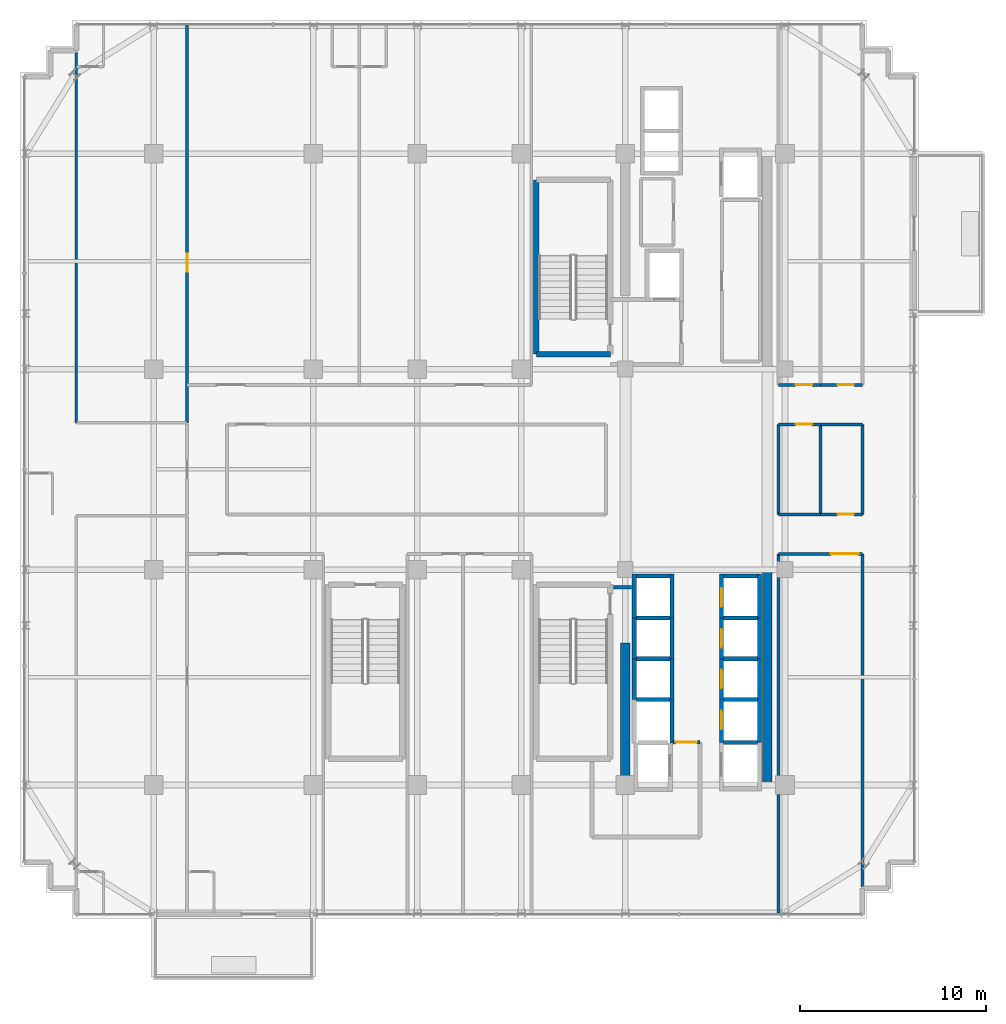
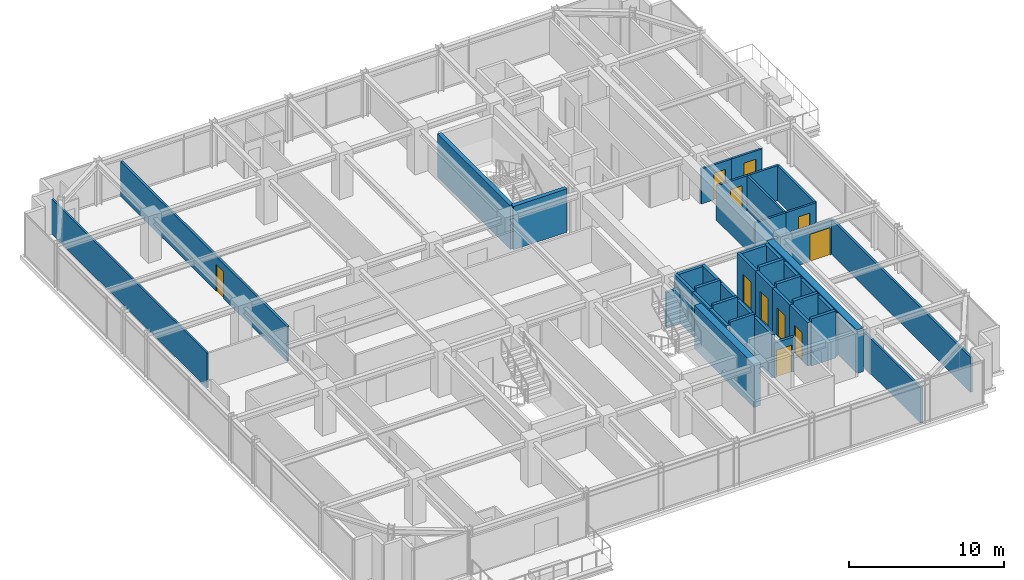
# One storey, part 29 of 34: 44 walls, 11 doors, 11 openings.
"""IFC4 building model written with IfcOpenShell, lengths in metres."""

from ifc_helpers import new_model, si_unit, direction, frame, frame_2d, origin, place, context, subcontext, project, spatial, rectangle, extrude, source, transform, mapped, material, layer, layer_set, type_object, element, fill, save


model = new_model("IFC4")

# Units and contexts
model_context = context("Model", 3, precision=1e-05, world=origin(), true_north=direction((0.0, 1.0)))
body_context = subcontext(model_context, "Body", "Model", "MODEL_VIEW")
ifc_project = project(units=[si_unit("LENGTHUNIT", "METRE"), si_unit("AREAUNIT", "SQUARE_METRE"), si_unit("VOLUMEUNIT", "CUBIC_METRE"), si_unit("PLANEANGLEUNIT", "RADIAN"), si_unit("MASSUNIT", "GRAM", prefix="KILO")], contexts=[model_context])

# Site, building, storey
site_placement = place(None, origin())
site = spatial("IfcSite", under=ifc_project, at=site_placement, CompositionType="ELEMENT")
building_placement = place(site_placement, origin())
building = spatial("IfcBuilding", under=site, at=building_placement, Name="Nahalor Promenade Grand Hotel", CompositionType="ELEMENT")
storey_placement = place(building_placement, frame((0.0, 0.0, 238.199951171875)))
storey = spatial("IfcBuildingStorey", under=building, at=storey_placement, Name="L61", CompositionType="ELEMENT", Elevation=238.199951171875)

# Walls
ifc_material_1 = material(Name="Concrete B-60 (C50/60)", Category="concrete")
ifc_layer_1 = layer(ifc_material_1, 0.5)
ifc_layer_set_1 = layer_set([ifc_layer_1], Name="Concrete B-60 (C50/60)")
wall_type_1 = type_object("IfcWallType", Name="Wall-CoreShear-500", PredefinedType="SHEAR", material=ifc_layer_set_1)
shared_shape_1 = source(origin(), body_context, "Body", "SweptSolid", [
    extrude(rectangle(XDim=7.64990234375, YDim=0.5, at=frame_2d((3.824951171875, 0.0))), origin(), (0.0, 0.0, 1.0), 3.41015625),
])
wall_1_placement = place(storey_placement, frame((8.39990234375, -17.0, 0.0), z_axis=(0.0, 0.0, 1.0), x_axis=(0.0, 1.0, 0.0)))
element("IfcWall", 1, at=wall_1_placement, inside=storey, type_object=wall_type_1, Name="CWALL-L61-SW", PredefinedType="SHEAR", context=body_context, shape_type="MappedRepresentation", body=[
    mapped(shared_shape_1, transform((0.0, 0.0, 0.0), scale=1.0)),
])
shared_shape_2 = source(origin(), body_context, "Body", "SweptSolid", [
    extrude(rectangle(XDim=11.60009765625, YDim=0.5, at=frame_2d((5.800048828125, 0.0))), origin(), (0.0, 0.0, 1.0), 3.41015625),
])
wall_2_placement = place(storey_placement, frame((16.050048828125, -17.0, 0.0), z_axis=(0.0, 0.0, 1.0), x_axis=(0.0, 1.0, 0.0)))
element("IfcWall", 2, at=wall_2_placement, inside=storey, type_object=wall_type_1, Name="CWALL-L61-SE", PredefinedType="SHEAR", context=body_context, shape_type="MappedRepresentation", body=[
    mapped(shared_shape_2, transform((0.0, 0.0, 0.0), scale=1.0)),
])
ifc_material_2 = material(Name="Concrete B-50 (C40/50)", Category="concrete")
ifc_layer_2 = layer(ifc_material_2, 0.300048828125)
ifc_layer_set_2 = layer_set([ifc_layer_2], Name="Concrete B-50 (C40/50)")
wall_type_2 = type_object("IfcWallType", Name="Wall-ShaftShear-300", PredefinedType="SHEAR", material=ifc_layer_set_2)
shared_shape_3 = source(origin(), body_context, "Body", "SweptSolid", [
    extrude(rectangle(XDim=3.97998046875, YDim=0.300048828125, at=frame_2d((1.989990234375, 0.0))), origin(), (0.0, 0.0, 1.0), 3.41015625),
])
wall_3_placement = place(storey_placement, frame((3.610107421875, 6.2099609375, 0.0), z_axis=(0.0, 0.0, 1.0), x_axis=(1.0, 0.0, 0.0)))
element("IfcWall", 3, at=wall_3_placement, inside=storey, type_object=wall_type_2, Name="L61 Exit Stair ST1 Shaft Wall S", PredefinedType="SHEAR", context=body_context, shape_type="MappedRepresentation", body=[
    mapped(shared_shape_3, transform((0.0, 0.0, 0.0), scale=1.0)),
])
shared_shape_4 = source(origin(), body_context, "Body", "SweptSolid", [
    extrude(rectangle(XDim=9.380126953125, YDim=0.300048828125, at=frame_2d((4.68994140625, 0.0))), origin(), (0.0, 0.0, 1.0), 3.41015625),
])
wall_4_placement = place(storey_placement, frame((3.610107421875, 6.2099609375, 0.0), z_axis=(0.0, 0.0, 1.0), x_axis=(0.0, 1.0, 0.0)))
element("IfcWall", 4, at=wall_4_placement, inside=storey, type_object=wall_type_2, Name="L61 Exit Stair ST1 Shaft Wall W", PredefinedType="SHEAR", context=body_context, shape_type="MappedRepresentation", body=[
    mapped(shared_shape_4, transform((0.0, 0.0, 0.0), scale=1.0)),
])

# Wall, opening, door
ifc_layer_3 = layer(ifc_material_2, 0.219970703125)
ifc_layer_set_3 = layer_set([ifc_layer_3], Name="Concrete B-50 (C40/50)")
wall_type_3 = type_object("IfcWallType", Name="Wall-LiftShaft-220", PredefinedType="SHEAR", material=ifc_layer_set_3)
shared_shape_5 = source(origin(), body_context, "Body", "SweptSolid", [
    extrude(rectangle(XDim=2.360107421875, YDim=0.219970703125, at=frame_2d((1.18017578125, 0.0))), origin(), (0.0, 0.0, 1.0), 3.41015625),
])
wall_5_placement = place(storey_placement, frame((13.580078125, -8.0, 0.0), z_axis=(0.0, 0.0, 1.0), x_axis=(0.0, 1.0, 0.0)))
wall_5 = element("IfcWall", 5, at=wall_5_placement, inside=storey, type_object=wall_type_3, Name="L61 Lift PL5 Hoistway Wall W", PredefinedType="SHEAR", context=body_context, shape_type="MappedRepresentation", body=[
    mapped(shared_shape_5, transform((0.0, 0.0, 0.0), scale=1.0)),
])
opening_1_placement = place(wall_5_placement, frame((0.60009765625, 0.0, 0.0)))
opening_1 = element("IfcOpeningElement", 6, at=opening_1_placement, cuts=wall_5, Name="Opening LD-01", PredefinedType="OPENING", context=body_context, shape_type="SweptSolid", body=[
    extrude(rectangle(XDim=1.0, YDim=2.199951171875, at=frame_2d((0.5, 1.10009765625))), frame((0.0, 0.119873046875, 0.0), z_axis=(0.0, -1.0, 0.0), x_axis=(1.0, 0.0, 0.0)), (0.0, 0.0, 1.0), 0.239990234375),
])
ifc_material_3 = material(Name="Steel S355JR", Category="steel")
door_type_1 = type_object("IfcDoorType", Name="Door-LiftLanding-1000", OperationType="DOUBLE_DOOR_SLIDING", PredefinedType="DOOR", material=ifc_material_3)
shared_shape_6 = source(origin(), body_context, "Body", "SweptSolid", [
    extrude(rectangle(XDim=1.0, YDim=2.199951171875, at=frame_2d((0.5, 1.10009765625))), frame((0.0, 0.02490234375, 0.0), z_axis=(0.0, -1.0, 0.0), x_axis=(1.0, 0.0, 0.0)), (0.0, 0.0, 1.0), 0.050048828125),
])
door_1_placement = place(opening_1_placement, origin())
door_1 = element("IfcDoor", 7, at=door_1_placement, inside=storey, type_object=door_type_1, Name="DR-LIFT-PL5-L61", OperationType="DOUBLE_DOOR_SLIDING", OverallHeight=2.199951171875, OverallWidth=1.0, PredefinedType="DOOR", context=body_context, shape_type="MappedRepresentation", body=[
    mapped(shared_shape_6, transform((0.0, 0.0, 0.0), scale=1.0)),
])
fill(opening_1, door_1)

# Walls
for number, where, z_axis, x_axis, name in (
    (8, (15.6201171875, -8.0, 0.0), (0.0, 0.0, 1.0), (0.0, 1.0, 0.0), "L61 Lift PL5 Hoistway Wall E"),
    (9, (8.8798828125, -8.0, 0.0), (0.0, 0.0, 1.0), (0.0, 1.0, 0.0), "L61 Lift PL9 Hoistway Wall W"),
    (10, (10.919921875, -8.0, 0.0), (0.0, 0.0, 1.0), (0.0, 1.0, 0.0), "L61 Lift PL9 Hoistway Wall E"),
):
    element("IfcWall", number, at=place(storey_placement, frame(where, z_axis=z_axis, x_axis=x_axis)), inside=storey, type_object=wall_type_3, Name=name, PredefinedType="SHEAR", context=body_context, shape_type="MappedRepresentation", body=[
        mapped(shared_shape_5, transform((0.0, 0.0, 0.0), scale=1.0)),
    ])
shared_shape_7 = source(origin(), body_context, "Body", "SweptSolid", [
    extrude(rectangle(XDim=1.820068359375, YDim=0.219970703125, at=frame_2d((0.91015625, 0.0))), origin(), (0.0, 0.0, 1.0), 3.41015625),
])
for number, where, z_axis, x_axis, name in (
    (11, (13.68994140625, -5.75, 0.0), (0.0, 0.0, 1.0), (1.0, 0.0, 0.0), "L61 Lift PL5 Hoistway Wall N"),
    (12, (8.989990234375, -5.75, 0.0), (0.0, 0.0, 1.0), (1.0, 0.0, 0.0), "L61 Lift PL9 Hoistway Wall N"),
):
    element("IfcWall", number, at=place(storey_placement, frame(where, z_axis=z_axis, x_axis=x_axis)), inside=storey, type_object=wall_type_3, Name=name, PredefinedType="SHEAR", context=body_context, shape_type="MappedRepresentation", body=[
        mapped(shared_shape_7, transform((0.0, 0.0, 0.0), scale=1.0)),
    ])

# Wall, opening, door
shared_shape_8 = source(origin(), body_context, "Body", "SweptSolid", [
    extrude(rectangle(XDim=2.199951171875, YDim=0.219970703125, at=frame_2d((1.10009765625, 0.0))), origin(), (0.0, 0.0, 1.0), 3.41015625),
])
wall_6_placement = place(storey_placement, frame((13.580078125, -10.199951171875, 0.0), z_axis=(0.0, 0.0, 1.0), x_axis=(0.0, 1.0, 0.0)))
wall_6 = element("IfcWall", 13, at=wall_6_placement, inside=storey, type_object=wall_type_3, Name="L61 Lift PL6 Hoistway Wall W", PredefinedType="SHEAR", context=body_context, shape_type="MappedRepresentation", body=[
    mapped(shared_shape_8, transform((0.0, 0.0, 0.0), scale=1.0)),
])
opening_2_placement = place(wall_6_placement, frame((0.60009765625, 0.0, 0.0)))
opening_2 = element("IfcOpeningElement", 14, at=opening_2_placement, cuts=wall_6, Name="Opening LD-01", PredefinedType="OPENING", context=body_context, shape_type="SweptSolid", body=[
    extrude(rectangle(XDim=1.0, YDim=2.199951171875, at=frame_2d((0.5, 1.10009765625))), frame((0.0, 0.119873046875, 0.0), z_axis=(0.0, -1.0, 0.0), x_axis=(1.0, 0.0, 0.0)), (0.0, 0.0, 1.0), 0.239990234375),
])
door_2_placement = place(opening_2_placement, origin())
door_2 = element("IfcDoor", 15, at=door_2_placement, inside=storey, type_object=door_type_1, Name="DR-LIFT-PL6-L61", OperationType="DOUBLE_DOOR_SLIDING", OverallHeight=2.199951171875, OverallWidth=1.0, PredefinedType="DOOR", context=body_context, shape_type="MappedRepresentation", body=[
    mapped(shared_shape_6, transform((0.0, 0.0, 0.0), scale=1.0)),
])
fill(opening_2, door_2)

# Wall
wall_7_placement = place(storey_placement, frame((15.6201171875, -10.199951171875, 0.0), z_axis=(0.0, 0.0, 1.0), x_axis=(0.0, 1.0, 0.0)))
element("IfcWall", 16, at=wall_7_placement, inside=storey, type_object=wall_type_3, Name="L61 Lift PL6 Hoistway Wall E", PredefinedType="SHEAR", context=body_context, shape_type="MappedRepresentation", body=[
    mapped(shared_shape_8, transform((0.0, 0.0, 0.0), scale=1.0)),
])

# Wall, opening, door
wall_8_placement = place(storey_placement, frame((13.580078125, -12.39990234375, 0.0), z_axis=(0.0, 0.0, 1.0), x_axis=(0.0, 1.0, 0.0)))
wall_8 = element("IfcWall", 17, at=wall_8_placement, inside=storey, type_object=wall_type_3, Name="L61 Lift PL7 Hoistway Wall W", PredefinedType="SHEAR", context=body_context, shape_type="MappedRepresentation", body=[
    mapped(shared_shape_8, transform((0.0, 0.0, 0.0), scale=1.0)),
])
opening_3_placement = place(wall_8_placement, frame((0.60009765625, 0.0, 0.0)))
opening_3 = element("IfcOpeningElement", 18, at=opening_3_placement, cuts=wall_8, Name="Opening LD-01", PredefinedType="OPENING", context=body_context, shape_type="SweptSolid", body=[
    extrude(rectangle(XDim=1.0, YDim=2.199951171875, at=frame_2d((0.5, 1.10009765625))), frame((0.0, 0.119873046875, 0.0), z_axis=(0.0, -1.0, 0.0), x_axis=(1.0, 0.0, 0.0)), (0.0, 0.0, 1.0), 0.239990234375),
])
door_3_placement = place(opening_3_placement, origin())
door_3 = element("IfcDoor", 19, at=door_3_placement, inside=storey, type_object=door_type_1, Name="DR-LIFT-PL7-L61", OperationType="DOUBLE_DOOR_SLIDING", OverallHeight=2.199951171875, OverallWidth=1.0, PredefinedType="DOOR", context=body_context, shape_type="MappedRepresentation", body=[
    mapped(shared_shape_6, transform((0.0, 0.0, 0.0), scale=1.0)),
])
fill(opening_3, door_3)

# Walls
for number, where, z_axis, x_axis, name in (
    (20, (15.6201171875, -12.39990234375, 0.0), (0.0, 0.0, 1.0), (0.0, 1.0, 0.0), "L61 Lift PL7 Hoistway Wall E"),
    (21, (8.8798828125, -10.199951171875, 0.0), (0.0, 0.0, 1.0), (0.0, 1.0, 0.0), "L61 Lift PL10 Hoistway Wall W"),
    (22, (10.919921875, -10.199951171875, 0.0), (0.0, 0.0, 1.0), (0.0, 1.0, 0.0), "L61 Lift PL10 Hoistway Wall E"),
    (23, (8.8798828125, -12.39990234375, 0.0), (0.0, 0.0, 1.0), (0.0, 1.0, 0.0), "L61 Lift PL11 Hoistway Wall W"),
    (24, (10.919921875, -12.39990234375, 0.0), (0.0, 0.0, 1.0), (0.0, 1.0, 0.0), "L61 Lift PL11 Hoistway Wall E"),
):
    element("IfcWall", number, at=place(storey_placement, frame(where, z_axis=z_axis, x_axis=x_axis)), inside=storey, type_object=wall_type_3, Name=name, PredefinedType="SHEAR", context=body_context, shape_type="MappedRepresentation", body=[
        mapped(shared_shape_8, transform((0.0, 0.0, 0.0), scale=1.0)),
    ])
shared_shape_9 = source(origin(), body_context, "Body", "SweptSolid", [
    extrude(rectangle(XDim=1.820068359375, YDim=0.219970703125, at=frame_2d((0.91015625, 0.0))), origin(), (0.0, 0.0, 1.0), 3.699951171875),
])
for number, where, z_axis, x_axis, name in (
    (25, (13.68994140625, -8.0, 0.0), (0.0, 0.0, 1.0), (1.0, 0.0, 0.0), "L61 Lift PL6 Hoistway Wall N"),
    (26, (13.68994140625, -10.199951171875, 0.0), (0.0, 0.0, 1.0), (1.0, 0.0, 0.0), "L61 Lift PL7 Hoistway Wall N"),
    (27, (13.68994140625, -12.39990234375, 0.0), (0.0, 0.0, 1.0), (1.0, 0.0, 0.0), "L61 Lift PL8 Hoistway Wall N"),
    (28, (8.989990234375, -8.0, 0.0), (0.0, 0.0, 1.0), (1.0, 0.0, 0.0), "L61 Lift PL10 Hoistway Wall N"),
    (29, (8.989990234375, -10.199951171875, 0.0), (0.0, 0.0, 1.0), (1.0, 0.0, 0.0), "L61 Lift PL11 Hoistway Wall N"),
    (30, (8.989990234375, -12.39990234375, 0.0), (0.0, 0.0, 1.0), (1.0, 0.0, 0.0), "L61 Lift PL12 Hoistway Wall N"),
    (31, (13.68994140625, -14.699951171875, 0.0), (0.0, 0.0, 1.0), (1.0, 0.0, 0.0), "L61 Lift SV2 Hoistway Wall N"),
):
    element("IfcWall", number, at=place(storey_placement, frame(where, z_axis=z_axis, x_axis=x_axis)), inside=storey, type_object=wall_type_3, Name=name, PredefinedType="SHEAR", context=body_context, shape_type="MappedRepresentation", body=[
        mapped(shared_shape_9, transform((0.0, 0.0, 0.0), scale=1.0)),
    ])

# Wall, opening, door
shared_shape_10 = source(origin(), body_context, "Body", "SweptSolid", [
    extrude(rectangle(XDim=2.300048828125, YDim=0.219970703125, at=frame_2d((1.14990234375, 0.0))), origin(), (0.0, 0.0, 1.0), 3.41015625),
])
wall_9_placement = place(storey_placement, frame((13.580078125, -14.699951171875, 0.0), z_axis=(0.0, 0.0, 1.0), x_axis=(0.0, 1.0, 0.0)))
wall_9 = element("IfcWall", 32, at=wall_9_placement, inside=storey, type_object=wall_type_3, Name="L61 Lift PL8 Hoistway Wall W", PredefinedType="SHEAR", context=body_context, shape_type="MappedRepresentation", body=[
    mapped(shared_shape_10, transform((0.0, 0.0, 0.0), scale=1.0)),
])
opening_4_placement = place(wall_9_placement, frame((0.699951171875, 0.0, 0.0)))
opening_4 = element("IfcOpeningElement", 33, at=opening_4_placement, cuts=wall_9, Name="Opening LD-01", PredefinedType="OPENING", context=body_context, shape_type="SweptSolid", body=[
    extrude(rectangle(XDim=1.0, YDim=2.199951171875, at=frame_2d((0.5, 1.10009765625))), frame((0.0, 0.119873046875, 0.0), z_axis=(0.0, -1.0, 0.0), x_axis=(1.0, 0.0, 0.0)), (0.0, 0.0, 1.0), 0.239990234375),
])
door_4_placement = place(opening_4_placement, origin())
door_4 = element("IfcDoor", 34, at=door_4_placement, inside=storey, type_object=door_type_1, Name="DR-LIFT-PL8-L61", OperationType="DOUBLE_DOOR_SLIDING", OverallHeight=2.199951171875, OverallWidth=1.0, PredefinedType="DOOR", context=body_context, shape_type="MappedRepresentation", body=[
    mapped(shared_shape_6, transform((0.0, 0.0, 0.0), scale=1.0)),
])
fill(opening_4, door_4)

# Walls
wall_10_placement = place(storey_placement, frame((15.6201171875, -14.699951171875, 0.0), z_axis=(0.0, 0.0, 1.0), x_axis=(0.0, 1.0, 0.0)))
element("IfcWall", 35, at=wall_10_placement, inside=storey, type_object=wall_type_3, Name="L61 Lift PL8 Hoistway Wall E", PredefinedType="SHEAR", context=body_context, shape_type="MappedRepresentation", body=[
    mapped(shared_shape_10, transform((0.0, 0.0, 0.0), scale=1.0)),
])
shared_shape_11 = source(origin(), body_context, "Body", "SweptSolid", [
    extrude(rectangle(XDim=2.3251953125, YDim=0.219970703125, at=frame_2d((1.16259765625, 0.0))), origin(), (0.0, 0.0, 1.0), 3.41015625),
])
wall_11_placement = place(storey_placement, frame((10.919921875, -14.72509765625, 0.0), z_axis=(0.0, 0.0, 1.0), x_axis=(0.0, 1.0, 0.0)))
element("IfcWall", 36, at=wall_11_placement, inside=storey, type_object=wall_type_3, Name="L61 Lift PL12 Hoistway Wall E", PredefinedType="SHEAR", context=body_context, shape_type="MappedRepresentation", body=[
    mapped(shared_shape_11, transform((0.0, 0.0, 0.0), scale=1.0)),
])

# Wall, opening, door
ifc_material_4 = material(Name="Concrete B-40 (C32/40)", Category="concrete")
ifc_layer_4 = layer(ifc_material_4, 0.199951171875)
ifc_layer_set_4 = layer_set([ifc_layer_4], Name="Concrete B-40 (C32/40)")
wall_type_4 = type_object("IfcWallType", Name="Wall-PartFire-200", PredefinedType="PARTITIONING", material=ifc_layer_set_4)
shared_shape_12 = source(origin(), body_context, "Body", "SweptSolid", [
    extrude(rectangle(XDim=1.4599609375, YDim=0.199951171875, at=frame_2d((0.72998046875, 0.0))), origin(), (0.0, 0.0, 1.0), 2.75),
])
wall_12_placement = place(storey_placement, frame((10.9599609375, -14.699951171875, 0.0), z_axis=(0.0, 0.0, 1.0), x_axis=(1.0, 0.0, 0.0)))
wall_12 = element("IfcWall", 37, at=wall_12_placement, inside=storey, type_object=wall_type_4, Name="W-L61-FF2-N1", PredefinedType="PARTITIONING", context=body_context, shape_type="MappedRepresentation", body=[
    mapped(shared_shape_12, transform((0.0, 0.0, 0.0), scale=1.0)),
])
opening_5_placement = place(wall_12_placement, frame((0.14501953125, 0.0, 0.0)))
opening_5 = element("IfcOpeningElement", 38, at=opening_5_placement, cuts=wall_12, Name="Opening D-FF1", PredefinedType="OPENING", context=body_context, shape_type="SweptSolid", body=[
    extrude(rectangle(XDim=1.14990234375, YDim=2.14990234375, at=frame_2d((0.574951171875, 1.074951171875))), frame((0.0, 0.10986328125, 0.0), z_axis=(0.0, -1.0, 0.0), x_axis=(1.0, 0.0, 0.0)), (0.0, 0.0, 1.0), 0.219970703125),
])
door_type_2 = type_object("IfcDoorType", Name="Door-FFLobby-1150", OperationType="NOTDEFINED", PredefinedType="DOOR", material=ifc_material_3)
shared_shape_13 = source(origin(), body_context, "Body", "SweptSolid", [
    extrude(rectangle(XDim=1.14990234375, YDim=2.14990234375, at=frame_2d((0.574951171875, 1.074951171875))), frame((0.0, 0.02490234375, 0.0), z_axis=(0.0, -1.0, 0.0), x_axis=(1.0, 0.0, 0.0)), (0.0, 0.0, 1.0), 0.050048828125),
])
door_5_placement = place(opening_5_placement, origin())
door_5 = element("IfcDoor", 39, at=door_5_placement, inside=storey, type_object=door_type_2, Name="DR-L61-FFL2", OperationType="SINGLE_SWING_LEFT", OverallHeight=2.14990234375, OverallWidth=1.14990234375, PredefinedType="DOOR", context=body_context, shape_type="MappedRepresentation", body=[
    mapped(shared_shape_13, transform((0.0, 0.0, 0.0), scale=1.0)),
])
fill(opening_5, door_5)

# Wall
shared_shape_14 = source(origin(), body_context, "Body", "SweptSolid", [
    extrude(rectangle(XDim=0.969970703125, YDim=0.199951171875, at=frame_2d((0.48486328125, 0.0))), origin(), (0.0, 0.0, 1.0), 2.75),
])
wall_13_placement = place(storey_placement, frame((7.77001953125, -6.35009765625, 0.0), z_axis=(0.0, 0.0, 1.0), x_axis=(1.0, 0.0, 0.0)))
element("IfcWall", 40, at=wall_13_placement, inside=storey, type_object=wall_type_4, Name="W-L61-FF2-N2", PredefinedType="PARTITIONING", context=body_context, shape_type="MappedRepresentation", body=[
    mapped(shared_shape_14, transform((0.0, 0.0, 0.0), scale=1.0)),
])

# Wall, opening, door
ifc_material_5 = material(Name="Acoustic Mineral Gypsum", Category="gypsum")
ifc_layer_5 = layer(ifc_material_5, 0.159912109375)
ifc_layer_set_5 = layer_set([ifc_layer_5], Name="Acoustic Mineral Gypsum")
wall_type_5 = type_object("IfcWallType", Name="Wall-PartCorridor-160", PredefinedType="PARTITIONING", material=ifc_layer_set_5)
shared_shape_15 = source(origin(), body_context, "Body", "SweptSolid", [
    extrude(rectangle(XDim=2.255126953125, YDim=0.159912109375, at=frame_2d((1.12744140625, 0.0))), origin(), (0.0, 0.0, 1.0), 2.75),
])
wall_14_placement = place(storey_placement, frame((16.64990234375, 4.550048828125, 0.0), z_axis=(0.0, 0.0, 1.0), x_axis=(1.0, 0.0, 0.0)))
wall_14 = element("IfcWall", 41, at=wall_14_placement, inside=storey, type_object=wall_type_5, Name="W-L61-ENE1-S", PredefinedType="PARTITIONING", context=body_context, shape_type="MappedRepresentation", body=[
    mapped(shared_shape_15, transform((0.0, 0.0, 0.0), scale=1.0)),
])
opening_6_placement = place(wall_14_placement, frame((0.924072265625, 0.0, 0.0)))
opening_6 = element("IfcOpeningElement", 42, at=opening_6_placement, cuts=wall_14, Name="Opening D-03", PredefinedType="OPENING", context=body_context, shape_type="SweptSolid", body=[
    extrude(rectangle(XDim=0.8798828125, YDim=2.10009765625, at=frame_2d((0.43994140625, 1.050048828125))), frame((0.0, 0.08984375, 0.0), z_axis=(0.0, -1.0, 0.0), x_axis=(1.0, 0.0, 0.0)), (0.0, 0.0, 1.0), 0.179931640625),
])
ifc_material_6 = material(Name="Fire-Rated Timber Composite", Category="wood")
door_type_3 = type_object("IfcDoorType", Name="Door-BathSwing-880", OperationType="NOTDEFINED", PredefinedType="DOOR", material=ifc_material_6)
shared_shape_16 = source(origin(), body_context, "Body", "SweptSolid", [
    extrude(rectangle(XDim=0.8798828125, YDim=2.10009765625, at=frame_2d((0.43994140625, 1.050048828125))), frame((0.0, 0.02490234375, 0.0), z_axis=(0.0, -1.0, 0.0), x_axis=(1.0, 0.0, 0.0)), (0.0, 0.0, 1.0), 0.050048828125),
])
door_6_placement = place(opening_6_placement, origin())
door_6 = element("IfcDoor", 43, at=door_6_placement, inside=storey, type_object=door_type_3, Name="DR-L61-ENE1", OperationType="SINGLE_SWING_RIGHT", OverallHeight=2.10009765625, OverallWidth=0.8798828125, PredefinedType="DOOR", context=body_context, shape_type="MappedRepresentation", body=[
    mapped(shared_shape_16, transform((0.0, 0.0, 0.0), scale=1.0)),
])
fill(opening_6, door_6)

# Wall
wall_15_placement = place(storey_placement, frame((16.64990234375, -2.419921875, 0.0), z_axis=(0.0, 0.0, 1.0), x_axis=(1.0, 0.0, 0.0)))
element("IfcWall", 44, at=wall_15_placement, inside=storey, type_object=wall_type_5, Name="W-L61-ECW1-S", PredefinedType="PARTITIONING", context=body_context, shape_type="MappedRepresentation", body=[
    mapped(shared_shape_15, transform((0.0, 0.0, 0.0), scale=1.0)),
])

# Wall, opening, door
wall_16_placement = place(storey_placement, frame((16.64990234375, 2.419921875, 0.0), z_axis=(0.0, 0.0, 1.0), x_axis=(1.0, 0.0, 0.0)))
wall_16 = element("IfcWall", 45, at=wall_16_placement, inside=storey, type_object=wall_type_5, Name="W-L61-ECW1-N", PredefinedType="PARTITIONING", context=body_context, shape_type="MappedRepresentation", body=[
    mapped(shared_shape_15, transform((0.0, 0.0, 0.0), scale=1.0)),
])
opening_7_placement = place(wall_16_placement, frame((0.924072265625, 0.0, 0.0)))
opening_7 = element("IfcOpeningElement", 46, at=opening_7_placement, cuts=wall_16, Name="Opening D-03", PredefinedType="OPENING", context=body_context, shape_type="SweptSolid", body=[
    extrude(rectangle(XDim=0.8798828125, YDim=2.10009765625, at=frame_2d((0.43994140625, 1.050048828125))), frame((0.0, 0.08984375, 0.0), z_axis=(0.0, -1.0, 0.0), x_axis=(1.0, 0.0, 0.0)), (0.0, 0.0, 1.0), 0.179931640625),
])
door_7_placement = place(opening_7_placement, frame((0.8798828125, 0.0, 0.0), z_axis=(0.0, 0.0, 1.0), x_axis=(-1.0, 0.0, 0.0)))
door_7 = element("IfcDoor", 47, at=door_7_placement, inside=storey, type_object=door_type_3, Name="DR-L61-ECW1", OperationType="SINGLE_SWING_LEFT", OverallHeight=2.10009765625, OverallWidth=0.8798828125, PredefinedType="DOOR", context=body_context, shape_type="MappedRepresentation", body=[
    mapped(shared_shape_16, transform((0.0, 0.0, 0.0), scale=1.0)),
])
fill(opening_7, door_7)

# Wall
shared_shape_17 = source(origin(), body_context, "Body", "SweptSolid", [
    extrude(rectangle(XDim=19.349853515625, YDim=0.159912109375, at=frame_2d((9.6748046875, 0.0))), origin(), (0.0, 0.0, 1.0), 2.75),
])
wall_17_placement = place(storey_placement, frame((16.64990234375, -23.89990234375, 0.0), z_axis=(0.0, 0.0, 1.0), x_axis=(0.0, 1.0, 0.0)))
element("IfcWall", 48, at=wall_17_placement, inside=storey, type_object=wall_type_5, Name="W-L61-ESE-W", PredefinedType="PARTITIONING", context=body_context, shape_type="MappedRepresentation", body=[
    mapped(shared_shape_17, transform((0.0, 0.0, 0.0), scale=1.0)),
])

# Wall, opening, door
shared_shape_18 = source(origin(), body_context, "Body", "SweptSolid", [
    extrude(rectangle(XDim=2.2548828125, YDim=0.159912109375, at=frame_2d((1.12744140625, 0.0))), origin(), (0.0, 0.0, 1.0), 2.75),
])
wall_18_placement = place(storey_placement, frame((18.905029296875, 4.550048828125, 0.0), z_axis=(0.0, 0.0, 1.0), x_axis=(1.0, 0.0, 0.0)))
wall_18 = element("IfcWall", 49, at=wall_18_placement, inside=storey, type_object=wall_type_5, Name="W-L61-ENE2-S", PredefinedType="PARTITIONING", context=body_context, shape_type="MappedRepresentation", body=[
    mapped(shared_shape_18, transform((0.0, 0.0, 0.0), scale=1.0)),
])
opening_8_placement = place(wall_18_placement, frame((0.924072265625, 0.0, 0.0)))
opening_8 = element("IfcOpeningElement", 50, at=opening_8_placement, cuts=wall_18, Name="Opening D-03", PredefinedType="OPENING", context=body_context, shape_type="SweptSolid", body=[
    extrude(rectangle(XDim=0.8798828125, YDim=2.10009765625, at=frame_2d((0.43994140625, 1.050048828125))), frame((0.0, 0.08984375, 0.0), z_axis=(0.0, -1.0, 0.0), x_axis=(1.0, 0.0, 0.0)), (0.0, 0.0, 1.0), 0.179931640625),
])
door_8_placement = place(opening_8_placement, origin())
door_8 = element("IfcDoor", 51, at=door_8_placement, inside=storey, type_object=door_type_3, Name="DR-L61-ENE2", OperationType="SINGLE_SWING_LEFT", OverallHeight=2.10009765625, OverallWidth=0.8798828125, PredefinedType="DOOR", context=body_context, shape_type="MappedRepresentation", body=[
    mapped(shared_shape_16, transform((0.0, 0.0, 0.0), scale=1.0)),
])
fill(opening_8, door_8)

wall_19_placement = place(storey_placement, frame((18.905029296875, -2.419921875, 0.0), z_axis=(0.0, 0.0, 1.0), x_axis=(1.0, 0.0, 0.0)))
wall_19 = element("IfcWall", 52, at=wall_19_placement, inside=storey, type_object=wall_type_5, Name="W-L61-ECW2-S", PredefinedType="PARTITIONING", context=body_context, shape_type="MappedRepresentation", body=[
    mapped(shared_shape_18, transform((0.0, 0.0, 0.0), scale=1.0)),
])
opening_9_placement = place(wall_19_placement, frame((0.924072265625, 0.0, 0.0)))
opening_9 = element("IfcOpeningElement", 53, at=opening_9_placement, cuts=wall_19, Name="Opening D-03", PredefinedType="OPENING", context=body_context, shape_type="SweptSolid", body=[
    extrude(rectangle(XDim=0.8798828125, YDim=2.10009765625, at=frame_2d((0.43994140625, 1.050048828125))), frame((0.0, 0.08984375, 0.0), z_axis=(0.0, -1.0, 0.0), x_axis=(1.0, 0.0, 0.0)), (0.0, 0.0, 1.0), 0.179931640625),
])
door_9_placement = place(opening_9_placement, origin())
door_9 = element("IfcDoor", 54, at=door_9_placement, inside=storey, type_object=door_type_3, Name="DR-L61-ECW2", OperationType="SINGLE_SWING_RIGHT", OverallHeight=2.10009765625, OverallWidth=0.8798828125, PredefinedType="DOOR", context=body_context, shape_type="MappedRepresentation", body=[
    mapped(shared_shape_16, transform((0.0, 0.0, 0.0), scale=1.0)),
])
fill(opening_9, door_9)

# Walls
wall_20_placement = place(storey_placement, frame((18.905029296875, 2.419921875, 0.0), z_axis=(0.0, 0.0, 1.0), x_axis=(1.0, 0.0, 0.0)))
element("IfcWall", 55, at=wall_20_placement, inside=storey, type_object=wall_type_5, Name="W-L61-ECW2-N", PredefinedType="PARTITIONING", context=body_context, shape_type="MappedRepresentation", body=[
    mapped(shared_shape_18, transform((0.0, 0.0, 0.0), scale=1.0)),
])
shared_shape_19 = source(origin(), body_context, "Body", "SweptSolid", [
    extrude(rectangle(XDim=17.929931640625, YDim=0.159912109375, at=frame_2d((8.96484375, 0.0))), origin(), (0.0, 0.0, 1.0), 2.75),
])
wall_21_placement = place(storey_placement, frame((21.159912109375, -22.47998046875, 0.0), z_axis=(0.0, 0.0, 1.0), x_axis=(0.0, 1.0, 0.0)))
element("IfcWall", 56, at=wall_21_placement, inside=storey, type_object=wall_type_5, Name="W-L61-ESE-E", PredefinedType="PARTITIONING", context=body_context, shape_type="MappedRepresentation", body=[
    mapped(shared_shape_19, transform((0.0, 0.0, 0.0), scale=1.0)),
])

# Wall, opening, door
shared_shape_20 = source(origin(), body_context, "Body", "SweptSolid", [
    extrude(rectangle(XDim=21.39990234375, YDim=0.159912109375, at=frame_2d((10.699951171875, 0.0))), origin(), (0.0, 0.0, 1.0), 2.75),
])
wall_22_placement = place(storey_placement, frame((-15.199951171875, 2.5, 0.0), z_axis=(0.0, 0.0, 1.0), x_axis=(0.0, 1.0, 0.0)))
wall_22 = element("IfcWall", 57, at=wall_22_placement, inside=storey, type_object=wall_type_5, Name="W-L61-ZNW-E", PredefinedType="PARTITIONING", context=body_context, shape_type="MappedRepresentation", body=[
    mapped(shared_shape_20, transform((0.0, 0.0, 0.0), scale=1.0)),
])
opening_10_placement = place(wall_22_placement, frame((8.14990234375, 0.0, 0.0)))
opening_10 = element("IfcOpeningElement", 58, at=opening_10_placement, cuts=wall_22, Name="Opening D-01", PredefinedType="OPENING", context=body_context, shape_type="SweptSolid", body=[
    extrude(rectangle(XDim=0.949951171875, YDim=2.10009765625, at=frame_2d((0.47509765625, 1.050048828125))), frame((0.0, 0.08984375, 0.0), z_axis=(0.0, -1.0, 0.0), x_axis=(1.0, 0.0, 0.0)), (0.0, 0.0, 1.0), 0.179931640625),
])
door_type_4 = type_object("IfcDoorType", Name="Door-GuestEntry-950", OperationType="NOTDEFINED", PredefinedType="DOOR", material=ifc_material_6)
shared_shape_21 = source(origin(), body_context, "Body", "SweptSolid", [
    extrude(rectangle(XDim=0.949951171875, YDim=2.10009765625, at=frame_2d((0.47509765625, 1.050048828125))), frame((0.0, 0.02490234375, 0.0), z_axis=(0.0, -1.0, 0.0), x_axis=(1.0, 0.0, 0.0)), (0.0, 0.0, 1.0), 0.050048828125),
])
door_10_placement = place(opening_10_placement, origin())
door_10 = element("IfcDoor", 59, at=door_10_placement, inside=storey, type_object=door_type_4, Name="DR-L61-NW0-ENT", OperationType="SINGLE_SWING_LEFT", OverallHeight=2.10009765625, OverallWidth=0.949951171875, PredefinedType="DOOR", context=body_context, shape_type="MappedRepresentation", body=[
    mapped(shared_shape_21, transform((0.0, 0.0, 0.0), scale=1.0)),
])
fill(opening_10, door_10)

# Walls
ifc_layer_6 = layer(ifc_material_5, 0.139892578125)
ifc_layer_set_6 = layer_set([ifc_layer_6], Name="Acoustic Mineral Gypsum")
wall_type_6 = type_object("IfcWallType", Name="Wall-PartSuite-140", PredefinedType="PARTITIONING", material=ifc_layer_set_6)
shared_shape_22 = source(origin(), body_context, "Body", "SweptSolid", [
    extrude(rectangle(XDim=19.97998046875, YDim=0.139892578125, at=frame_2d((9.989990234375, 0.0))), origin(), (0.0, 0.0, 1.0), 2.75),
])
wall_23_placement = place(storey_placement, frame((-21.159912109375, 2.5, 0.0), z_axis=(0.0, 0.0, 1.0), x_axis=(0.0, 1.0, 0.0)))
element("IfcWall", 60, at=wall_23_placement, inside=storey, type_object=wall_type_6, Name="W-L61-ZNW-W", PredefinedType="PARTITIONING", context=body_context, shape_type="MappedRepresentation", body=[
    mapped(shared_shape_22, transform((0.0, 0.0, 0.0), scale=1.0)),
])
shared_shape_23 = source(origin(), body_context, "Body", "SweptSolid", [
    extrude(rectangle(XDim=4.83984375, YDim=0.159912109375, at=frame_2d((2.419921875, 0.0))), origin(), (0.0, 0.0, 1.0), 2.75),
])
for number, where, z_axis, x_axis, name in (
    (61, (16.64990234375, -2.419921875, 0.0), (0.0, 0.0, 1.0), (0.0, 1.0, 0.0), "W-L61-ECW1-W"),
    (62, (18.905029296875, -2.419921875, 0.0), (0.0, 0.0, 1.0), (0.0, 1.0, 0.0), "W-L61-ECW1-E"),
    (63, (21.159912109375, -2.419921875, 0.0), (0.0, 0.0, 1.0), (0.0, 1.0, 0.0), "W-L61-ECW2-E"),
):
    element("IfcWall", number, at=place(storey_placement, frame(where, z_axis=z_axis, x_axis=x_axis)), inside=storey, type_object=wall_type_5, Name=name, PredefinedType="PARTITIONING", context=body_context, shape_type="MappedRepresentation", body=[
        mapped(shared_shape_23, transform((0.0, 0.0, 0.0), scale=1.0)),
    ])

# Wall, opening, door
shared_shape_24 = source(origin(), body_context, "Body", "SweptSolid", [
    extrude(rectangle(XDim=4.510009765625, YDim=0.159912109375, at=frame_2d((2.2548828125, 0.0))), origin(), (0.0, 0.0, 1.0), 2.75),
])
wall_24_placement = place(storey_placement, frame((16.64990234375, -4.550048828125, 0.0), z_axis=(0.0, 0.0, 1.0), x_axis=(1.0, 0.0, 0.0)))
wall_24 = element("IfcWall", 64, at=wall_24_placement, inside=storey, type_object=wall_type_5, Name="W-L61-ESE-N", PredefinedType="PARTITIONING", context=body_context, shape_type="MappedRepresentation", body=[
    mapped(shared_shape_24, transform((0.0, 0.0, 0.0), scale=1.0)),
])
opening_11_placement = place(wall_24_placement, frame((2.820068359375, 0.0, 0.0)))
opening_11 = element("IfcOpeningElement", 65, at=opening_11_placement, cuts=wall_24, Name="Opening D-02", PredefinedType="OPENING", context=body_context, shape_type="SweptSolid", body=[
    extrude(rectangle(XDim=1.5, YDim=2.14990234375, at=frame_2d((0.75, 1.074951171875))), frame((0.0, 0.08984375, 0.0), z_axis=(0.0, -1.0, 0.0), x_axis=(1.0, 0.0, 0.0)), (0.0, 0.0, 1.0), 0.179931640625),
])
door_type_5 = type_object("IfcDoorType", Name="Door-SuiteDouble-1500", OperationType="DOUBLE_DOOR_SINGLE_SWING", PredefinedType="DOOR", material=ifc_material_6)
shared_shape_25 = source(origin(), body_context, "Body", "SweptSolid", [
    extrude(rectangle(XDim=1.5, YDim=2.14990234375, at=frame_2d((0.75, 1.074951171875))), frame((0.0, 0.02490234375, 0.0), z_axis=(0.0, -1.0, 0.0), x_axis=(1.0, 0.0, 0.0)), (0.0, 0.0, 1.0), 0.050048828125),
])
door_11_placement = place(opening_11_placement, frame((1.5, 0.0, 0.0), z_axis=(0.0, 0.0, 1.0), x_axis=(-1.0, 0.0, 0.0)))
door_11 = element("IfcDoor", 66, at=door_11_placement, inside=storey, type_object=door_type_5, Name="DR-L61-ESE", OperationType="DOUBLE_DOOR_SINGLE_SWING", OverallHeight=2.14990234375, OverallWidth=1.5, PredefinedType="DOOR", context=body_context, shape_type="MappedRepresentation", body=[
    mapped(shared_shape_25, transform((0.0, 0.0, 0.0), scale=1.0)),
])
fill(opening_11, door_11)

save(model, "model.ifc")
